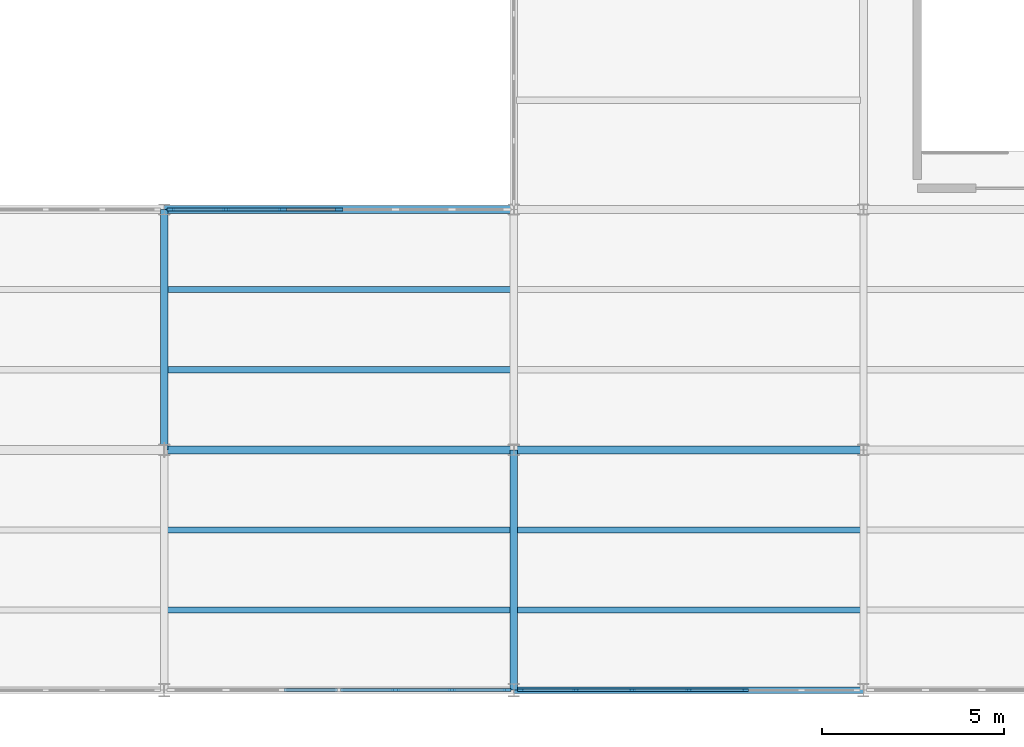
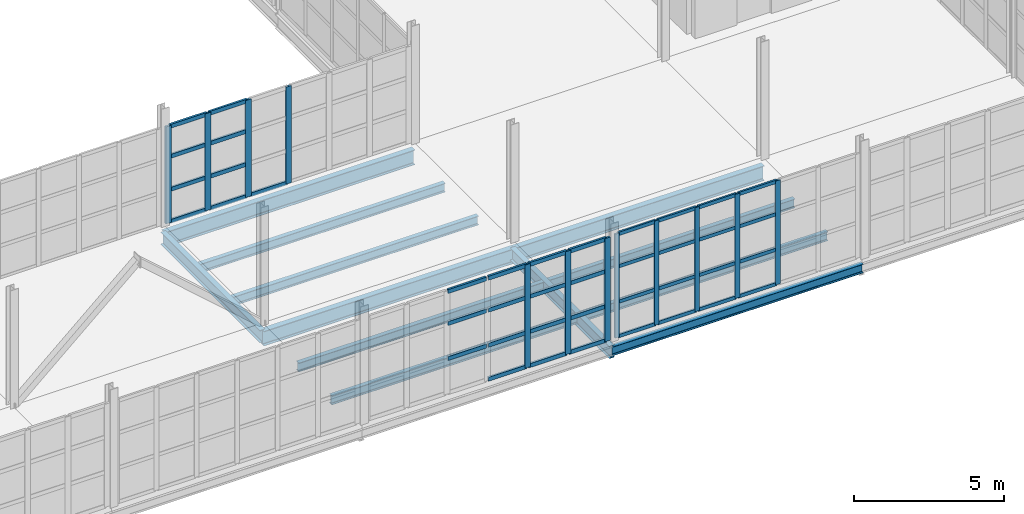
# One storey, part 60 of 120: 52 members, 12 beams, 3 elements without a shape of their own.
"""IFC4 building model written with IfcOpenShell, lengths in metres."""

from ifc_helpers import new_model, si_unit, direction, frame, origin, origin_2d, place, context, subcontext, project, spatial, rectangle, i_section, extrude, material, layer, layer_set, material_profile, profile_set, type_object, element, aggregate, save


model = new_model("IFC4")

# Units and contexts
model_context = context("Model", 3, precision=1e-05, world=origin(), true_north=direction((0.0, 1.0)))
body_context = subcontext(model_context, "Body", "Model", "MODEL_VIEW")
ifc_project = project(units=[si_unit("LENGTHUNIT", "METRE"), si_unit("AREAUNIT", "SQUARE_METRE"), si_unit("VOLUMEUNIT", "CUBIC_METRE"), si_unit("PLANEANGLEUNIT", "RADIAN"), si_unit("MASSUNIT", "GRAM", prefix="KILO")], contexts=[model_context])

# Site, building, storey
site_placement = place(None, origin())
site = spatial("IfcSite", under=ifc_project, at=site_placement, CompositionType="ELEMENT")
building_placement = place(site_placement, origin())
building = spatial("IfcBuilding", under=site, at=building_placement, Name="Zarnetskaya Central Station", CompositionType="ELEMENT")
storey_placement = place(building_placement, frame((0.0, 0.0, 5.39990234375)))
storey = spatial("IfcBuildingStorey", under=building, at=storey_placement, Name="L01", CompositionType="ELEMENT", Elevation=5.39990234375)

# Beams
ifc_material_1 = material(Name="Steel S355", Category="steel")
ifc_material_profile_1 = material_profile(ifc_material_1, i_section(OverallWidth=0.169921875, OverallDepth=0.360107421875, WebThickness=0.008056640625, FlangeThickness=0.0126953125, FilletRadius=0.01806640625, at=origin_2d()), Name="IPE 360")
ifc_profile_set_1 = profile_set([ifc_material_profile_1], Name="Steel S355")
beam_type_1 = type_object("IfcBeamType", Name="BM-SEC-360", PredefinedType="BEAM", material=ifc_profile_set_1)
for number, where, z_axis, x_axis, name in (
    (1, (144.080078125, 2.199951171875, -0.4599609375), (1.0, 0.0, 0.0), (0.0, 1.0, 0.0), "Secondary floor beam SEC-L01-Z512-RS-12-1"),
    (2, (144.080078125, 4.39990234375, -0.4599609375), (1.0, 0.0, 0.0), (0.0, 1.0, 0.0), "Secondary floor beam SEC-L01-Z512-RS-12-2"),
    (3, (144.080078125, 8.800048828125, -0.4599609375), (1.0, 0.0, 0.0), (0.0, 1.0, 0.0), "Secondary floor beam SEC-L01-Z512-RS-23-1"),
    (4, (144.080078125, 11.0, -0.4599609375), (1.0, 0.0, 0.0), (0.0, 1.0, 0.0), "Secondary floor beam SEC-L01-Z512-RS-23-2"),
):
    element("IfcBeam", number, at=place(storey_placement, frame(where, z_axis=z_axis, x_axis=x_axis)), inside=storey, type_object=beam_type_1, Name=name, PredefinedType="BEAM", context=body_context, shape_type="SweptSolid", body=[
        extrude(i_section(OverallWidth=0.169921875, OverallDepth=0.360107421875, WebThickness=0.008056640625, FlangeThickness=0.0126953125, FilletRadius=0.01806640625, at=origin_2d()), origin(), (0.0, 0.0, 1.0), 9.43994140625),
    ])
for number, where, z_axis, x_axis, name in (
    (5, (153.679931640625, 2.199951171875, -0.4599609375), (1.0, 0.0, 0.0), (0.0, 1.0, 0.0), "Secondary floor beam SEC-L01-Z512-ST-12-1"),
    (6, (153.679931640625, 4.39990234375, -0.4599609375), (1.0, 0.0, 0.0), (0.0, 1.0, 0.0), "Secondary floor beam SEC-L01-Z512-ST-12-2"),
):
    element("IfcBeam", number, at=place(storey_placement, frame(where, z_axis=z_axis, x_axis=x_axis)), inside=storey, type_object=beam_type_1, Name=name, PredefinedType="BEAM", context=body_context, shape_type="SweptSolid", body=[
        extrude(i_section(OverallWidth=0.169921875, OverallDepth=0.360107421875, WebThickness=0.008056640625, FlangeThickness=0.0126953125, FilletRadius=0.01806640625, at=origin_2d()), origin(), (0.0, 0.0, 1.0), 9.440185546875),
    ])
ifc_material_profile_2 = material_profile(ifc_material_1, i_section(OverallWidth=0.169921875, OverallDepth=0.360107421875, WebThickness=0.008056640625, FlangeThickness=0.0126953125, FilletRadius=0.01806640625, at=origin_2d()), Name="IPE 360")
ifc_profile_set_2 = profile_set([ifc_material_profile_2], Name="Steel S355")
beam_type_2 = type_object("IfcBeamType", Name="BM-SPN-V4", PredefinedType="SPANDREL", material=ifc_profile_set_2)
beam_1_placement = place(storey_placement, frame((153.60009765625, 0.0, -0.4599609375), z_axis=(1.0, 0.0, 0.0), x_axis=(0.0, 1.0, 0.0)))
element("IfcBeam", 7, at=beam_1_placement, inside=storey, type_object=beam_type_2, Name="Grid girder GX-L01-1-ST", PredefinedType="SPANDREL", context=body_context, shape_type="SweptSolid", body=[
    extrude(i_section(OverallWidth=0.169921875, OverallDepth=0.360107421875, WebThickness=0.008056640625, FlangeThickness=0.0126953125, FilletRadius=0.01806640625, at=origin_2d()), origin(), (0.0, 0.0, 1.0), 9.599853515625),
])

# Curtain wall, members
ifc_material_2 = material(Name="Low-E insulated glass", Category="glass")
ifc_layer = layer(ifc_material_2, 0.159912109375, Name="Low-E insulated glass", Category="glass")
ifc_layer_set = layer_set([ifc_layer], Name="Low-E insulated glass")
curtain_wall_type = type_object("IfcCurtainWallType", Name="CW-SYS-06", PredefinedType="USERDEFINED", material=ifc_layer_set)
curtain_wall_1_placement = place(storey_placement, origin())
curtain_wall_1 = element("IfcCurtainWall", 8, at=curtain_wall_1_placement, inside=storey, type_object=curtain_wall_type, Name="Curtain wall CW-L01-123", ObjectType="CURTAIN WALL", PredefinedType="USERDEFINED")
ifc_material_3 = material(Name="Anodised aluminium", Category="aluminium")
ifc_material_profile_3 = material_profile(ifc_material_3, rectangle(XDim=0.070068359375, YDim=0.179931640625, at=origin_2d()), Name="ALU MULL 70x180")
ifc_profile_set_3 = profile_set([ifc_material_profile_3], Name="Anodised aluminium")
member_type_1 = type_object("IfcMemberType", Name="CW-MULL-180", PredefinedType="MULLION", material=ifc_profile_set_3)
member_1_placement = place(storey_placement, frame((159.949951171875, 0.0, 0.0), z_axis=(0.0, 0.0, 1.0), x_axis=(0.0, -1.0, 0.0)))
member_1 = element("IfcMember", 9, at=member_1_placement, type_object=member_type_1, Name="CW-02 mullion 3", PredefinedType="MULLION", context=body_context, shape_type="SweptSolid", body=[
    extrude(rectangle(XDim=0.070068359375, YDim=0.179931640625, at=origin_2d()), origin(), (0.0, 0.0, 1.0), 4.22021484375),
])
member_2_placement = place(storey_placement, frame((158.39990234375, 0.0, 0.0), z_axis=(0.0, 0.0, 1.0), x_axis=(0.0, -1.0, 0.0)))
member_2 = element("IfcMember", 10, at=member_2_placement, type_object=member_type_1, Name="CW-02 mullion 4", PredefinedType="MULLION", context=body_context, shape_type="SweptSolid", body=[
    extrude(rectangle(XDim=0.070068359375, YDim=0.179931640625, at=origin_2d()), origin(), (0.0, 0.0, 1.0), 4.22021484375),
])
member_3_placement = place(storey_placement, frame((156.85009765625, 0.0, 0.0), z_axis=(0.0, 0.0, 1.0), x_axis=(0.0, -1.0, 0.0)))
member_3 = element("IfcMember", 11, at=member_3_placement, type_object=member_type_1, Name="CW-02 mullion 5", PredefinedType="MULLION", context=body_context, shape_type="SweptSolid", body=[
    extrude(rectangle(XDim=0.070068359375, YDim=0.179931640625, at=origin_2d()), origin(), (0.0, 0.0, 1.0), 4.22021484375),
])
member_4_placement = place(storey_placement, frame((155.300048828125, 0.0, 0.0), z_axis=(0.0, 0.0, 1.0), x_axis=(0.0, -1.0, 0.0)))
member_4 = element("IfcMember", 12, at=member_4_placement, type_object=member_type_1, Name="CW-02 mullion 6", PredefinedType="MULLION", context=body_context, shape_type="SweptSolid", body=[
    extrude(rectangle(XDim=0.070068359375, YDim=0.179931640625, at=origin_2d()), origin(), (0.0, 0.0, 1.0), 4.22021484375),
])
member_5_placement = place(storey_placement, frame((153.784912109375, 0.0, 0.0), z_axis=(0.0, 0.0, 1.0), x_axis=(0.0, -1.0, 0.0)))
member_5 = element("IfcMember", 13, at=member_5_placement, type_object=member_type_1, Name="CW-02 mullion 7", PredefinedType="MULLION", context=body_context, shape_type="SweptSolid", body=[
    extrude(rectangle(XDim=0.070068359375, YDim=0.179931640625, at=origin_2d()), origin(), (0.0, 0.0, 1.0), 4.22021484375),
])

curtain_wall_2_placement = place(storey_placement, origin())
curtain_wall_2 = element("IfcCurtainWall", 14, at=curtain_wall_2_placement, inside=storey, type_object=curtain_wall_type, Name="Curtain wall CW-L01-124", ObjectType="CURTAIN WALL", PredefinedType="USERDEFINED")
ifc_material_profile_4 = material_profile(ifc_material_3, rectangle(XDim=0.080078125, YDim=0.219970703125, at=origin_2d()), Name="ALU MULL 80x220")
ifc_profile_set_4 = profile_set([ifc_material_profile_4], Name="Anodised aluminium")
member_type_2 = type_object("IfcMemberType", Name="CW-MULL-220", PredefinedType="MULLION", material=ifc_profile_set_4)
member_6_placement = place(storey_placement, frame((153.409912109375, 0.0, 0.0), z_axis=(0.0, 0.0, 1.0), x_axis=(0.0, -1.0, 0.0)))
member_6 = element("IfcMember", 15, at=member_6_placement, type_object=member_type_2, Name="CW-02 mullion 1", PredefinedType="MULLION", context=body_context, shape_type="SweptSolid", body=[
    extrude(rectangle(XDim=0.080078125, YDim=0.219970703125, at=origin_2d()), origin(), (0.0, 0.0, 1.0), 4.18017578125),
])
member_7_placement = place(storey_placement, frame((151.89990234375, 0.0, 0.0), z_axis=(0.0, 0.0, 1.0), x_axis=(0.0, -1.0, 0.0)))
member_7 = element("IfcMember", 16, at=member_7_placement, type_object=member_type_2, Name="CW-02 mullion 2", PredefinedType="MULLION", context=body_context, shape_type="SweptSolid", body=[
    extrude(rectangle(XDim=0.080078125, YDim=0.219970703125, at=origin_2d()), origin(), (0.0, 0.0, 1.0), 4.18017578125),
])
member_8_placement = place(storey_placement, frame((150.35009765625, 0.0, 0.0), z_axis=(0.0, 0.0, 1.0), x_axis=(0.0, -1.0, 0.0)))
member_8 = element("IfcMember", 17, at=member_8_placement, type_object=member_type_2, Name="CW-02 mullion 3", PredefinedType="MULLION", context=body_context, shape_type="SweptSolid", body=[
    extrude(rectangle(XDim=0.080078125, YDim=0.219970703125, at=origin_2d()), origin(), (0.0, 0.0, 1.0), 4.18017578125),
])

curtain_wall_3_placement = place(storey_placement, origin())
curtain_wall_3 = element("IfcCurtainWall", 18, at=curtain_wall_3_placement, inside=storey, type_object=curtain_wall_type, Name="Curtain wall CW-L01-128", ObjectType="CURTAIN WALL", PredefinedType="USERDEFINED")
member_9_placement = place(storey_placement, frame((144.18994140625, 13.199951171875, 0.0), z_axis=(0.0, 0.0, 1.0), x_axis=(0.0, 1.0, 0.0)))
member_9 = element("IfcMember", 19, at=member_9_placement, type_object=member_type_2, Name="CW-02 mullion 1", PredefinedType="MULLION", context=body_context, shape_type="SweptSolid", body=[
    extrude(rectangle(XDim=0.080078125, YDim=0.219970703125, at=origin_2d()), origin(), (0.0, 0.0, 1.0), 3.940185546875),
])
member_10_placement = place(storey_placement, frame((145.699951171875, 13.199951171875, 0.0), z_axis=(0.0, 0.0, 1.0), x_axis=(0.0, 1.0, 0.0)))
member_10 = element("IfcMember", 20, at=member_10_placement, type_object=member_type_2, Name="CW-02 mullion 2", PredefinedType="MULLION", context=body_context, shape_type="SweptSolid", body=[
    extrude(rectangle(XDim=0.080078125, YDim=0.219970703125, at=origin_2d()), origin(), (0.0, 0.0, 1.0), 3.940185546875),
])
member_11_placement = place(storey_placement, frame((147.25, 13.199951171875, 0.0), z_axis=(0.0, 0.0, 1.0), x_axis=(0.0, 1.0, 0.0)))
member_11 = element("IfcMember", 21, at=member_11_placement, type_object=member_type_2, Name="CW-02 mullion 3", PredefinedType="MULLION", context=body_context, shape_type="SweptSolid", body=[
    extrude(rectangle(XDim=0.080078125, YDim=0.219970703125, at=origin_2d()), origin(), (0.0, 0.0, 1.0), 3.940185546875),
])
member_12_placement = place(storey_placement, frame((148.800048828125, 13.199951171875, 0.0), z_axis=(0.0, 0.0, 1.0), x_axis=(0.0, 1.0, 0.0)))
member_12 = element("IfcMember", 22, at=member_12_placement, type_object=member_type_2, Name="CW-02 mullion 4", PredefinedType="MULLION", context=body_context, shape_type="SweptSolid", body=[
    extrude(rectangle(XDim=0.080078125, YDim=0.219970703125, at=origin_2d()), origin(), (0.0, 0.0, 1.0), 3.940185546875),
])

# Member
ifc_material_profile_5 = material_profile(ifc_material_3, rectangle(XDim=0.070068359375, YDim=0.139892578125, at=origin_2d()), Name="ALU TRAN 70x140")
ifc_profile_set_5 = profile_set([ifc_material_profile_5], Name="Anodised aluminium")
member_type_3 = type_object("IfcMemberType", Name="CW-TRAN-140", PredefinedType="USERDEFINED", material=ifc_profile_set_5)
member_13_placement = place(storey_placement, frame((159.9150390625, 0.0, 0.03515625), z_axis=(-1.0, 0.0, 0.0), x_axis=(0.0, -1.0, 0.0)))
member_13 = element("IfcMember", 23, at=member_13_placement, type_object=member_type_3, Name="CW-02 transom 3.1", ObjectType="TRANSOM", PredefinedType="USERDEFINED", context=body_context, shape_type="SweptSolid", body=[
    extrude(rectangle(XDim=0.070068359375, YDim=0.139892578125, at=origin_2d()), origin(), (0.0, 0.0, 1.0), 1.47998046875),
])

member_14_placement = place(storey_placement, frame((159.9150390625, 0.0, 1.43505859375), z_axis=(-1.0, 0.0, 0.0), x_axis=(0.0, -1.0, 0.0)))
member_14 = element("IfcMember", 24, at=member_14_placement, type_object=member_type_3, Name="CW-02 transom 3.2", ObjectType="TRANSOM", PredefinedType="USERDEFINED", context=body_context, shape_type="SweptSolid", body=[
    extrude(rectangle(XDim=0.070068359375, YDim=0.139892578125, at=origin_2d()), origin(), (0.0, 0.0, 1.0), 1.47998046875),
])

member_15_placement = place(storey_placement, frame((159.9150390625, 0.0, 2.8701171875), z_axis=(-1.0, 0.0, 0.0), x_axis=(0.0, -1.0, 0.0)))
member_15 = element("IfcMember", 25, at=member_15_placement, type_object=member_type_3, Name="CW-02 transom 3.3", ObjectType="TRANSOM", PredefinedType="USERDEFINED", context=body_context, shape_type="SweptSolid", body=[
    extrude(rectangle(XDim=0.070068359375, YDim=0.139892578125, at=origin_2d()), origin(), (0.0, 0.0, 1.0), 1.47998046875),
])

member_16_placement = place(storey_placement, frame((159.9150390625, 0.0, 4.18505859375), z_axis=(-1.0, 0.0, 0.0), x_axis=(0.0, -1.0, 0.0)))
member_16 = element("IfcMember", 26, at=member_16_placement, type_object=member_type_3, Name="CW-02 transom 3.4", ObjectType="TRANSOM", PredefinedType="USERDEFINED", context=body_context, shape_type="SweptSolid", body=[
    extrude(rectangle(XDim=0.070068359375, YDim=0.139892578125, at=origin_2d()), origin(), (0.0, 0.0, 1.0), 1.47998046875),
])

member_17_placement = place(storey_placement, frame((158.364990234375, 0.0, 0.03515625), z_axis=(-1.0, 0.0, 0.0), x_axis=(0.0, -1.0, 0.0)))
member_17 = element("IfcMember", 27, at=member_17_placement, type_object=member_type_3, Name="CW-02 transom 4.1", ObjectType="TRANSOM", PredefinedType="USERDEFINED", context=body_context, shape_type="SweptSolid", body=[
    extrude(rectangle(XDim=0.070068359375, YDim=0.139892578125, at=origin_2d()), origin(), (0.0, 0.0, 1.0), 1.47998046875),
])

member_18_placement = place(storey_placement, frame((158.364990234375, 0.0, 1.43505859375), z_axis=(-1.0, 0.0, 0.0), x_axis=(0.0, -1.0, 0.0)))
member_18 = element("IfcMember", 28, at=member_18_placement, type_object=member_type_3, Name="CW-02 transom 4.2", ObjectType="TRANSOM", PredefinedType="USERDEFINED", context=body_context, shape_type="SweptSolid", body=[
    extrude(rectangle(XDim=0.070068359375, YDim=0.139892578125, at=origin_2d()), origin(), (0.0, 0.0, 1.0), 1.47998046875),
])

member_19_placement = place(storey_placement, frame((158.364990234375, 0.0, 2.8701171875), z_axis=(-1.0, 0.0, 0.0), x_axis=(0.0, -1.0, 0.0)))
member_19 = element("IfcMember", 29, at=member_19_placement, type_object=member_type_3, Name="CW-02 transom 4.3", ObjectType="TRANSOM", PredefinedType="USERDEFINED", context=body_context, shape_type="SweptSolid", body=[
    extrude(rectangle(XDim=0.070068359375, YDim=0.139892578125, at=origin_2d()), origin(), (0.0, 0.0, 1.0), 1.47998046875),
])

member_20_placement = place(storey_placement, frame((158.364990234375, 0.0, 4.18505859375), z_axis=(-1.0, 0.0, 0.0), x_axis=(0.0, -1.0, 0.0)))
member_20 = element("IfcMember", 30, at=member_20_placement, type_object=member_type_3, Name="CW-02 transom 4.4", ObjectType="TRANSOM", PredefinedType="USERDEFINED", context=body_context, shape_type="SweptSolid", body=[
    extrude(rectangle(XDim=0.070068359375, YDim=0.139892578125, at=origin_2d()), origin(), (0.0, 0.0, 1.0), 1.47998046875),
])

member_21_placement = place(storey_placement, frame((156.81494140625, 0.0, 0.03515625), z_axis=(-1.0, 0.0, 0.0), x_axis=(0.0, -1.0, 0.0)))
member_21 = element("IfcMember", 31, at=member_21_placement, type_object=member_type_3, Name="CW-02 transom 5.1", ObjectType="TRANSOM", PredefinedType="USERDEFINED", context=body_context, shape_type="SweptSolid", body=[
    extrude(rectangle(XDim=0.070068359375, YDim=0.139892578125, at=origin_2d()), origin(), (0.0, 0.0, 1.0), 1.47998046875),
])

member_22_placement = place(storey_placement, frame((156.81494140625, 0.0, 1.43505859375), z_axis=(-1.0, 0.0, 0.0), x_axis=(0.0, -1.0, 0.0)))
member_22 = element("IfcMember", 32, at=member_22_placement, type_object=member_type_3, Name="CW-02 transom 5.2", ObjectType="TRANSOM", PredefinedType="USERDEFINED", context=body_context, shape_type="SweptSolid", body=[
    extrude(rectangle(XDim=0.070068359375, YDim=0.139892578125, at=origin_2d()), origin(), (0.0, 0.0, 1.0), 1.47998046875),
])

member_23_placement = place(storey_placement, frame((156.81494140625, 0.0, 2.8701171875), z_axis=(-1.0, 0.0, 0.0), x_axis=(0.0, -1.0, 0.0)))
member_23 = element("IfcMember", 33, at=member_23_placement, type_object=member_type_3, Name="CW-02 transom 5.3", ObjectType="TRANSOM", PredefinedType="USERDEFINED", context=body_context, shape_type="SweptSolid", body=[
    extrude(rectangle(XDim=0.070068359375, YDim=0.139892578125, at=origin_2d()), origin(), (0.0, 0.0, 1.0), 1.47998046875),
])

member_24_placement = place(storey_placement, frame((156.81494140625, 0.0, 4.18505859375), z_axis=(-1.0, 0.0, 0.0), x_axis=(0.0, -1.0, 0.0)))
member_24 = element("IfcMember", 34, at=member_24_placement, type_object=member_type_3, Name="CW-02 transom 5.4", ObjectType="TRANSOM", PredefinedType="USERDEFINED", context=body_context, shape_type="SweptSolid", body=[
    extrude(rectangle(XDim=0.070068359375, YDim=0.139892578125, at=origin_2d()), origin(), (0.0, 0.0, 1.0), 1.47998046875),
])

member_25_placement = place(storey_placement, frame((155.264892578125, 0.0, 0.03515625), z_axis=(-1.0, 0.0, 0.0), x_axis=(0.0, -1.0, 0.0)))
member_25 = element("IfcMember", 35, at=member_25_placement, type_object=member_type_3, Name="CW-02 transom 6.1", ObjectType="TRANSOM", PredefinedType="USERDEFINED", context=body_context, shape_type="SweptSolid", body=[
    extrude(rectangle(XDim=0.070068359375, YDim=0.139892578125, at=origin_2d()), origin(), (0.0, 0.0, 1.0), 1.44482421875),
])

member_26_placement = place(storey_placement, frame((155.264892578125, 0.0, 1.43505859375), z_axis=(-1.0, 0.0, 0.0), x_axis=(0.0, -1.0, 0.0)))
member_26 = element("IfcMember", 36, at=member_26_placement, type_object=member_type_3, Name="CW-02 transom 6.2", ObjectType="TRANSOM", PredefinedType="USERDEFINED", context=body_context, shape_type="SweptSolid", body=[
    extrude(rectangle(XDim=0.070068359375, YDim=0.139892578125, at=origin_2d()), origin(), (0.0, 0.0, 1.0), 1.44482421875),
])

member_27_placement = place(storey_placement, frame((155.264892578125, 0.0, 2.8701171875), z_axis=(-1.0, 0.0, 0.0), x_axis=(0.0, -1.0, 0.0)))
member_27 = element("IfcMember", 37, at=member_27_placement, type_object=member_type_3, Name="CW-02 transom 6.3", ObjectType="TRANSOM", PredefinedType="USERDEFINED", context=body_context, shape_type="SweptSolid", body=[
    extrude(rectangle(XDim=0.070068359375, YDim=0.139892578125, at=origin_2d()), origin(), (0.0, 0.0, 1.0), 1.44482421875),
])

member_28_placement = place(storey_placement, frame((155.264892578125, 0.0, 4.18505859375), z_axis=(-1.0, 0.0, 0.0), x_axis=(0.0, -1.0, 0.0)))
member_28 = element("IfcMember", 38, at=member_28_placement, type_object=member_type_3, Name="CW-02 transom 6.4", ObjectType="TRANSOM", PredefinedType="USERDEFINED", context=body_context, shape_type="SweptSolid", body=[
    extrude(rectangle(XDim=0.070068359375, YDim=0.139892578125, at=origin_2d()), origin(), (0.0, 0.0, 1.0), 1.44482421875),
])

aggregate(curtain_wall_1, [member_1, member_2, member_3, member_4, member_5, member_13, member_14, member_15, member_16, member_17, member_18, member_19, member_20, member_21, member_22, member_23, member_24, member_25, member_26, member_27, member_28])

ifc_material_profile_6 = material_profile(ifc_material_3, rectangle(XDim=0.080078125, YDim=0.159912109375, at=origin_2d()), Name="ALU TRAN 80x160")
ifc_profile_set_6 = profile_set([ifc_material_profile_6], Name="Anodised aluminium")
member_type_4 = type_object("IfcMemberType", Name="CW-TRAN-160", PredefinedType="USERDEFINED", material=ifc_profile_set_6)
member_29_placement = place(storey_placement, frame((153.3701171875, 0.0, 0.0400390625), z_axis=(-1.0, 0.0, 0.0), x_axis=(0.0, -1.0, 0.0)))
member_29 = element("IfcMember", 39, at=member_29_placement, type_object=member_type_4, Name="CW-02 transom 1.1", ObjectType="TRANSOM", PredefinedType="USERDEFINED", context=body_context, shape_type="SweptSolid", body=[
    extrude(rectangle(XDim=0.080078125, YDim=0.159912109375, at=origin_2d()), origin(), (0.0, 0.0, 1.0), 1.43017578125),
])

member_30_placement = place(storey_placement, frame((153.3701171875, 0.0, 1.421142578125), z_axis=(-1.0, 0.0, 0.0), x_axis=(0.0, -1.0, 0.0)))
member_30 = element("IfcMember", 40, at=member_30_placement, type_object=member_type_4, Name="CW-02 transom 1.2", ObjectType="TRANSOM", PredefinedType="USERDEFINED", context=body_context, shape_type="SweptSolid", body=[
    extrude(rectangle(XDim=0.080078125, YDim=0.159912109375, at=origin_2d()), origin(), (0.0, 0.0, 1.0), 1.43017578125),
])

member_31_placement = place(storey_placement, frame((153.3701171875, 0.0, 2.842041015625), z_axis=(-1.0, 0.0, 0.0), x_axis=(0.0, -1.0, 0.0)))
member_31 = element("IfcMember", 41, at=member_31_placement, type_object=member_type_4, Name="CW-02 transom 1.3", ObjectType="TRANSOM", PredefinedType="USERDEFINED", context=body_context, shape_type="SweptSolid", body=[
    extrude(rectangle(XDim=0.080078125, YDim=0.159912109375, at=origin_2d()), origin(), (0.0, 0.0, 1.0), 1.43017578125),
])

member_32_placement = place(storey_placement, frame((153.3701171875, 0.0, 4.14013671875), z_axis=(-1.0, 0.0, 0.0), x_axis=(0.0, -1.0, 0.0)))
member_32 = element("IfcMember", 42, at=member_32_placement, type_object=member_type_4, Name="CW-02 transom 1.4", ObjectType="TRANSOM", PredefinedType="USERDEFINED", context=body_context, shape_type="SweptSolid", body=[
    extrude(rectangle(XDim=0.080078125, YDim=0.159912109375, at=origin_2d()), origin(), (0.0, 0.0, 1.0), 1.43017578125),
])

member_33_placement = place(storey_placement, frame((151.860107421875, 0.0, 0.0400390625), z_axis=(-1.0, 0.0, 0.0), x_axis=(0.0, -1.0, 0.0)))
member_33 = element("IfcMember", 43, at=member_33_placement, type_object=member_type_4, Name="CW-02 transom 2.1", ObjectType="TRANSOM", PredefinedType="USERDEFINED", context=body_context, shape_type="SweptSolid", body=[
    extrude(rectangle(XDim=0.080078125, YDim=0.159912109375, at=origin_2d()), origin(), (0.0, 0.0, 1.0), 1.47021484375),
])

member_34_placement = place(storey_placement, frame((151.860107421875, 0.0, 1.421142578125), z_axis=(-1.0, 0.0, 0.0), x_axis=(0.0, -1.0, 0.0)))
member_34 = element("IfcMember", 44, at=member_34_placement, type_object=member_type_4, Name="CW-02 transom 2.2", ObjectType="TRANSOM", PredefinedType="USERDEFINED", context=body_context, shape_type="SweptSolid", body=[
    extrude(rectangle(XDim=0.080078125, YDim=0.159912109375, at=origin_2d()), origin(), (0.0, 0.0, 1.0), 1.47021484375),
])

member_35_placement = place(storey_placement, frame((151.860107421875, 0.0, 2.842041015625), z_axis=(-1.0, 0.0, 0.0), x_axis=(0.0, -1.0, 0.0)))
member_35 = element("IfcMember", 45, at=member_35_placement, type_object=member_type_4, Name="CW-02 transom 2.3", ObjectType="TRANSOM", PredefinedType="USERDEFINED", context=body_context, shape_type="SweptSolid", body=[
    extrude(rectangle(XDim=0.080078125, YDim=0.159912109375, at=origin_2d()), origin(), (0.0, 0.0, 1.0), 1.47021484375),
])

member_36_placement = place(storey_placement, frame((151.860107421875, 0.0, 4.14013671875), z_axis=(-1.0, 0.0, 0.0), x_axis=(0.0, -1.0, 0.0)))
member_36 = element("IfcMember", 46, at=member_36_placement, type_object=member_type_4, Name="CW-02 transom 2.4", ObjectType="TRANSOM", PredefinedType="USERDEFINED", context=body_context, shape_type="SweptSolid", body=[
    extrude(rectangle(XDim=0.080078125, YDim=0.159912109375, at=origin_2d()), origin(), (0.0, 0.0, 1.0), 1.47021484375),
])

member_37_placement = place(storey_placement, frame((150.31005859375, 0.0, 0.0400390625), z_axis=(-1.0, 0.0, 0.0), x_axis=(0.0, -1.0, 0.0)))
member_37 = element("IfcMember", 47, at=member_37_placement, type_object=member_type_4, Name="CW-02 transom 3.1", ObjectType="TRANSOM", PredefinedType="USERDEFINED", context=body_context, shape_type="SweptSolid", body=[
    extrude(rectangle(XDim=0.080078125, YDim=0.159912109375, at=origin_2d()), origin(), (0.0, 0.0, 1.0), 1.469970703125),
])

member_38_placement = place(storey_placement, frame((150.31005859375, 0.0, 1.421142578125), z_axis=(-1.0, 0.0, 0.0), x_axis=(0.0, -1.0, 0.0)))
member_38 = element("IfcMember", 48, at=member_38_placement, type_object=member_type_4, Name="CW-02 transom 3.2", ObjectType="TRANSOM", PredefinedType="USERDEFINED", context=body_context, shape_type="SweptSolid", body=[
    extrude(rectangle(XDim=0.080078125, YDim=0.159912109375, at=origin_2d()), origin(), (0.0, 0.0, 1.0), 1.469970703125),
])

member_39_placement = place(storey_placement, frame((150.31005859375, 0.0, 2.842041015625), z_axis=(-1.0, 0.0, 0.0), x_axis=(0.0, -1.0, 0.0)))
member_39 = element("IfcMember", 49, at=member_39_placement, type_object=member_type_4, Name="CW-02 transom 3.3", ObjectType="TRANSOM", PredefinedType="USERDEFINED", context=body_context, shape_type="SweptSolid", body=[
    extrude(rectangle(XDim=0.080078125, YDim=0.159912109375, at=origin_2d()), origin(), (0.0, 0.0, 1.0), 1.469970703125),
])

member_40_placement = place(storey_placement, frame((150.31005859375, 0.0, 4.14013671875), z_axis=(-1.0, 0.0, 0.0), x_axis=(0.0, -1.0, 0.0)))
member_40 = element("IfcMember", 50, at=member_40_placement, type_object=member_type_4, Name="CW-02 transom 3.4", ObjectType="TRANSOM", PredefinedType="USERDEFINED", context=body_context, shape_type="SweptSolid", body=[
    extrude(rectangle(XDim=0.080078125, YDim=0.159912109375, at=origin_2d()), origin(), (0.0, 0.0, 1.0), 1.469970703125),
])

member_41_placement = place(storey_placement, frame((148.760009765625, 0.0, 1.421142578125), z_axis=(-1.0, 0.0, 0.0), x_axis=(0.0, -1.0, 0.0)))
member_41 = element("IfcMember", 51, at=member_41_placement, type_object=member_type_4, Name="CW-02 transom 4.2", ObjectType="TRANSOM", PredefinedType="USERDEFINED", context=body_context, shape_type="SweptSolid", body=[
    extrude(rectangle(XDim=0.080078125, YDim=0.159912109375, at=origin_2d()), origin(), (0.0, 0.0, 1.0), 1.469970703125),
])

member_42_placement = place(storey_placement, frame((148.760009765625, 0.0, 2.842041015625), z_axis=(-1.0, 0.0, 0.0), x_axis=(0.0, -1.0, 0.0)))
member_42 = element("IfcMember", 52, at=member_42_placement, type_object=member_type_4, Name="CW-02 transom 4.3", ObjectType="TRANSOM", PredefinedType="USERDEFINED", context=body_context, shape_type="SweptSolid", body=[
    extrude(rectangle(XDim=0.080078125, YDim=0.159912109375, at=origin_2d()), origin(), (0.0, 0.0, 1.0), 1.469970703125),
])

member_43_placement = place(storey_placement, frame((148.760009765625, 0.0, 4.14013671875), z_axis=(-1.0, 0.0, 0.0), x_axis=(0.0, -1.0, 0.0)))
member_43 = element("IfcMember", 53, at=member_43_placement, type_object=member_type_4, Name="CW-02 transom 4.4", ObjectType="TRANSOM", PredefinedType="USERDEFINED", context=body_context, shape_type="SweptSolid", body=[
    extrude(rectangle(XDim=0.080078125, YDim=0.159912109375, at=origin_2d()), origin(), (0.0, 0.0, 1.0), 1.469970703125),
])

aggregate(curtain_wall_2, [member_6, member_7, member_8, member_29, member_30, member_31, member_32, member_33, member_34, member_35, member_36, member_37, member_38, member_39, member_40, member_41, member_42, member_43])

member_44_placement = place(storey_placement, frame((144.22998046875, 13.199951171875, 0.0400390625), z_axis=(1.0, 0.0, 0.0), x_axis=(0.0, 1.0, 0.0)))
member_44 = element("IfcMember", 54, at=member_44_placement, type_object=member_type_4, Name="CW-02 transom 1.1", ObjectType="TRANSOM", PredefinedType="USERDEFINED", context=body_context, shape_type="SweptSolid", body=[
    extrude(rectangle(XDim=0.080078125, YDim=0.159912109375, at=origin_2d()), origin(), (0.0, 0.0, 1.0), 1.429931640625),
])

member_45_placement = place(storey_placement, frame((144.22998046875, 13.199951171875, 1.340087890625), z_axis=(1.0, 0.0, 0.0), x_axis=(0.0, 1.0, 0.0)))
member_45 = element("IfcMember", 55, at=member_45_placement, type_object=member_type_4, Name="CW-02 transom 1.2", ObjectType="TRANSOM", PredefinedType="USERDEFINED", context=body_context, shape_type="SweptSolid", body=[
    extrude(rectangle(XDim=0.080078125, YDim=0.159912109375, at=origin_2d()), origin(), (0.0, 0.0, 1.0), 1.429931640625),
])

member_46_placement = place(storey_placement, frame((144.22998046875, 13.199951171875, 2.67919921875), z_axis=(1.0, 0.0, 0.0), x_axis=(0.0, 1.0, 0.0)))
member_46 = element("IfcMember", 56, at=member_46_placement, type_object=member_type_4, Name="CW-02 transom 1.3", ObjectType="TRANSOM", PredefinedType="USERDEFINED", context=body_context, shape_type="SweptSolid", body=[
    extrude(rectangle(XDim=0.080078125, YDim=0.159912109375, at=origin_2d()), origin(), (0.0, 0.0, 1.0), 1.429931640625),
])

member_47_placement = place(storey_placement, frame((144.22998046875, 13.199951171875, 3.900146484375), z_axis=(1.0, 0.0, 0.0), x_axis=(0.0, 1.0, 0.0)))
member_47 = element("IfcMember", 57, at=member_47_placement, type_object=member_type_4, Name="CW-02 transom 1.4", ObjectType="TRANSOM", PredefinedType="USERDEFINED", context=body_context, shape_type="SweptSolid", body=[
    extrude(rectangle(XDim=0.080078125, YDim=0.159912109375, at=origin_2d()), origin(), (0.0, 0.0, 1.0), 1.429931640625),
])

member_48_placement = place(storey_placement, frame((145.739990234375, 13.199951171875, 0.0400390625), z_axis=(1.0, 0.0, 0.0), x_axis=(0.0, 1.0, 0.0)))
member_48 = element("IfcMember", 58, at=member_48_placement, type_object=member_type_4, Name="CW-02 transom 2.1", ObjectType="TRANSOM", PredefinedType="USERDEFINED", context=body_context, shape_type="SweptSolid", body=[
    extrude(rectangle(XDim=0.080078125, YDim=0.159912109375, at=origin_2d()), origin(), (0.0, 0.0, 1.0), 1.469970703125),
])

member_49_placement = place(storey_placement, frame((145.739990234375, 13.199951171875, 1.340087890625), z_axis=(1.0, 0.0, 0.0), x_axis=(0.0, 1.0, 0.0)))
member_49 = element("IfcMember", 59, at=member_49_placement, type_object=member_type_4, Name="CW-02 transom 2.2", ObjectType="TRANSOM", PredefinedType="USERDEFINED", context=body_context, shape_type="SweptSolid", body=[
    extrude(rectangle(XDim=0.080078125, YDim=0.159912109375, at=origin_2d()), origin(), (0.0, 0.0, 1.0), 1.469970703125),
])

member_50_placement = place(storey_placement, frame((145.739990234375, 13.199951171875, 2.67919921875), z_axis=(1.0, 0.0, 0.0), x_axis=(0.0, 1.0, 0.0)))
member_50 = element("IfcMember", 60, at=member_50_placement, type_object=member_type_4, Name="CW-02 transom 2.3", ObjectType="TRANSOM", PredefinedType="USERDEFINED", context=body_context, shape_type="SweptSolid", body=[
    extrude(rectangle(XDim=0.080078125, YDim=0.159912109375, at=origin_2d()), origin(), (0.0, 0.0, 1.0), 1.469970703125),
])

member_51_placement = place(storey_placement, frame((145.739990234375, 13.199951171875, 3.900146484375), z_axis=(1.0, 0.0, 0.0), x_axis=(0.0, 1.0, 0.0)))
member_51 = element("IfcMember", 61, at=member_51_placement, type_object=member_type_4, Name="CW-02 transom 2.4", ObjectType="TRANSOM", PredefinedType="USERDEFINED", context=body_context, shape_type="SweptSolid", body=[
    extrude(rectangle(XDim=0.080078125, YDim=0.159912109375, at=origin_2d()), origin(), (0.0, 0.0, 1.0), 1.469970703125),
])

member_52_placement = place(storey_placement, frame((147.2900390625, 13.199951171875, 0.0400390625), z_axis=(1.0, 0.0, 0.0), x_axis=(0.0, 1.0, 0.0)))
member_52 = element("IfcMember", 62, at=member_52_placement, type_object=member_type_4, Name="CW-02 transom 3.1", ObjectType="TRANSOM", PredefinedType="USERDEFINED", context=body_context, shape_type="SweptSolid", body=[
    extrude(rectangle(XDim=0.080078125, YDim=0.159912109375, at=origin_2d()), origin(), (0.0, 0.0, 1.0), 1.469970703125),
])

aggregate(curtain_wall_3, [member_9, member_10, member_11, member_12, member_44, member_45, member_46, member_47, member_48, member_49, member_50, member_51, member_52])

# Beams
ifc_material_profile_7 = material_profile(ifc_material_1, i_section(OverallWidth=0.199951171875, OverallDepth=0.5, WebThickness=0.01025390625, FlangeThickness=0.01611328125, FilletRadius=0.02099609375, at=origin_2d()), Name="IPE 500")
ifc_profile_set_7 = profile_set([ifc_material_profile_7], Name="Steel S355")
beam_type_3 = type_object("IfcBeamType", Name="GD-FLR-500", PredefinedType="USERDEFINED", material=ifc_profile_set_7)
beam_2_placement = place(storey_placement, frame((144.0, 6.60009765625, -0.52978515625), z_axis=(0.0, 1.0, 0.0), x_axis=(-1.0, 0.0, 0.0)))
element("IfcBeam", 63, at=beam_2_placement, inside=storey, type_object=beam_type_3, Name="Grid girder GY-L01-R-23", ObjectType="GIRDER", PredefinedType="USERDEFINED", context=body_context, shape_type="SweptSolid", body=[
    extrude(i_section(OverallWidth=0.199951171875, OverallDepth=0.5, WebThickness=0.01025390625, FlangeThickness=0.01611328125, FilletRadius=0.02099609375, at=origin_2d()), origin(), (0.0, 0.0, 1.0), 6.599853515625),
])
beam_3_placement = place(storey_placement, frame((153.60009765625, 0.0, -0.52978515625), z_axis=(0.0, 1.0, 0.0), x_axis=(-1.0, 0.0, 0.0)))
element("IfcBeam", 64, at=beam_3_placement, inside=storey, type_object=beam_type_3, Name="Grid girder GY-L01-S-12", ObjectType="GIRDER", PredefinedType="USERDEFINED", context=body_context, shape_type="SweptSolid", body=[
    extrude(i_section(OverallWidth=0.199951171875, OverallDepth=0.5, WebThickness=0.01025390625, FlangeThickness=0.01611328125, FilletRadius=0.02099609375, at=origin_2d()), origin(), (0.0, 0.0, 1.0), 6.60009765625),
])
ifc_material_profile_8 = material_profile(ifc_material_1, i_section(OverallWidth=0.219970703125, OverallDepth=0.60009765625, WebThickness=0.011962890625, FlangeThickness=0.01904296875, FilletRadius=0.02392578125, at=origin_2d()), Name="IPE 600")
ifc_profile_set_8 = profile_set([ifc_material_profile_8], Name="Steel S355")
beam_type_4 = type_object("IfcBeamType", Name="GD-FLR-600", PredefinedType="USERDEFINED", material=ifc_profile_set_8)
for number, where, z_axis, x_axis, name in (
    (65, (144.0, 6.60009765625, -0.579833984375), (1.0, 0.0, 0.0), (0.0, 1.0, 0.0), "Grid girder GX-L01-2-RS"),
    (66, (144.0, 13.199951171875, -0.579833984375), (1.0, 0.0, 0.0), (0.0, 1.0, 0.0), "Grid girder GX-L01-3-RS"),
):
    element("IfcBeam", number, at=place(storey_placement, frame(where, z_axis=z_axis, x_axis=x_axis)), inside=storey, type_object=beam_type_4, Name=name, ObjectType="GIRDER", PredefinedType="USERDEFINED", context=body_context, shape_type="SweptSolid", body=[
        extrude(i_section(OverallWidth=0.219970703125, OverallDepth=0.60009765625, WebThickness=0.011962890625, FlangeThickness=0.01904296875, FilletRadius=0.02392578125, at=origin_2d()), origin(), (0.0, 0.0, 1.0), 9.60009765625),
    ])
beam_4_placement = place(storey_placement, frame((153.60009765625, 6.60009765625, -0.579833984375), z_axis=(1.0, 0.0, 0.0), x_axis=(0.0, 1.0, 0.0)))
element("IfcBeam", 67, at=beam_4_placement, inside=storey, type_object=beam_type_4, Name="Grid girder GX-L01-2-ST", ObjectType="GIRDER", PredefinedType="USERDEFINED", context=body_context, shape_type="SweptSolid", body=[
    extrude(i_section(OverallWidth=0.219970703125, OverallDepth=0.60009765625, WebThickness=0.011962890625, FlangeThickness=0.01904296875, FilletRadius=0.02392578125, at=origin_2d()), origin(), (0.0, 0.0, 1.0), 9.599853515625),
])

save(model, "model.ifc")
